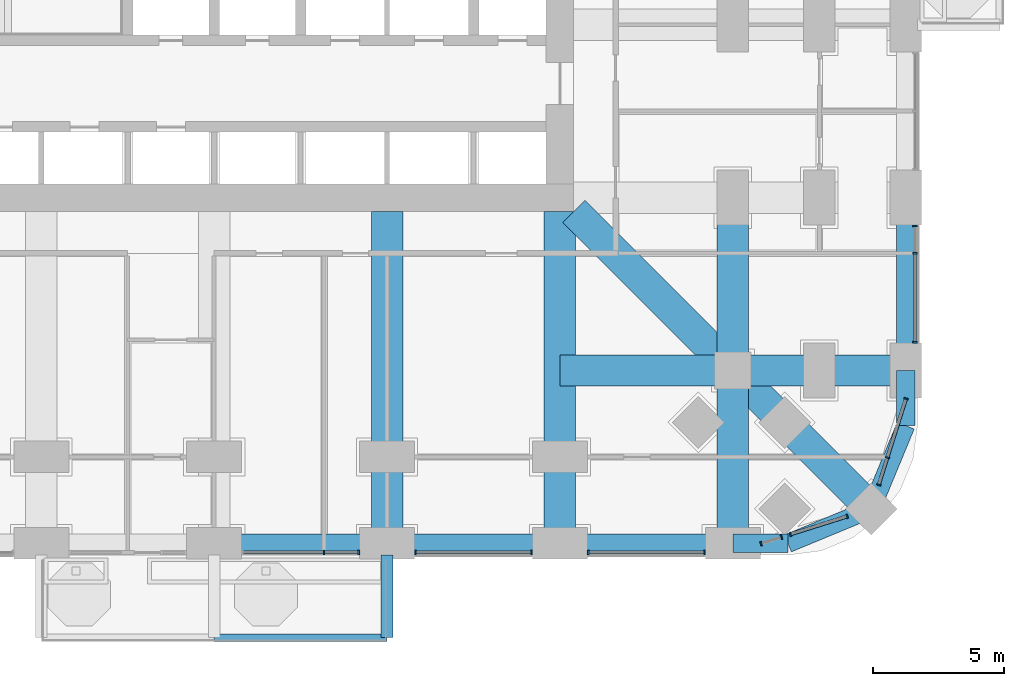
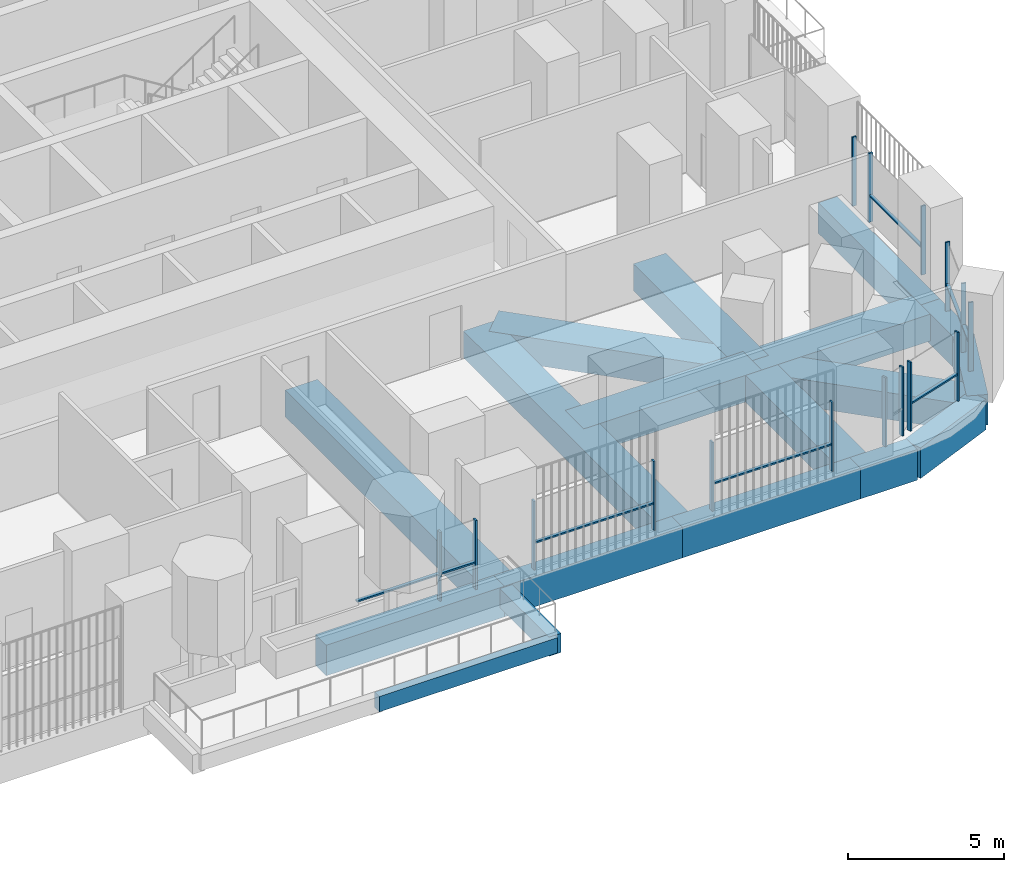
# One storey, part 4 of 26: 24 members, 18 beams, 7 elements without a shape of their own.
"""IFC4 building model written with IfcOpenShell, lengths in metres."""

import ifcopenshell
import ifcopenshell.guid

model = None  # the IFC model being written
_history = None  # IfcOwnerHistory: only IFC2X3 demands one
_inside = {}  # id of a spatial element -> (the spatial element, [elements in it])
_under = {}  # id of a project, library or spatial element -> (it, [spatial elements below it])
_declared = {}  # id of a project -> (the project, [libraries it declares])
_typed = {}  # id of a type object -> (the type object, [elements of that type])
_made_of = {}  # id of a material, layer set ... -> (it, [elements and type objects made of it])


def new_model(schema):
    """Start an empty IFC model of exactly this schema.

    Asked for "IFC4X3", IfcOpenShell would pick the latest addendum, in which some entities
    have other attributes; the version numbers below select the first issue.
    IFC2X3 requires an IfcOwnerHistory on every rooted entity: one is made here for all.
    """
    global model, _history
    if schema == "IFC4X3":
        model = ifcopenshell.file(schema_version=(4, 3, 0, 0))
    else:
        model = ifcopenshell.file(schema=schema)
    _inside.clear()
    _under.clear()
    _declared.clear()
    _typed.clear()
    _made_of.clear()
    _history = None
    if model.schema == "IFC2X3":
        org = make("IfcOrganization", Name="unknown")
        user = make(
            "IfcPersonAndOrganization",
            ThePerson=make("IfcPerson", FamilyName="unknown"),
            TheOrganization=org,
        )
        app = make(
            "IfcApplication",
            ApplicationDeveloper=org,
            Version="unknown",
            ApplicationFullName="unknown",
            ApplicationIdentifier="unknown",
        )
        _history = make(
            "IfcOwnerHistory",
            OwningUser=user,
            OwningApplication=app,
            ChangeAction="ADDED",
            CreationDate=0,
        )
    return model


def make(cls, **values):
    """One entity of the class cls with the attributes given. An attribute that is None is left unset."""
    return model.create_entity(
        cls, **{name: value for name, value in values.items() if value is not None}
    )


def rooted(cls, **values):
    """An entity with a GlobalId (a new one), such as an element, a storey or a relation."""
    return make(cls, GlobalId=ifcopenshell.guid.new(), OwnerHistory=_history, **values)


def si_unit(unit_type, name, prefix=None):
    """IfcSIUnit, for example si_unit("LENGTHUNIT", "METRE", prefix="MILLI")."""
    return make("IfcSIUnit", UnitType=unit_type, Prefix=prefix, Name=name)


def assignment(units):
    """IfcUnitAssignment: the units of a project."""
    return None if units is None else make("IfcUnitAssignment", Units=units)


def point(xyz):
    """IfcCartesianPoint."""
    return None if xyz is None else make("IfcCartesianPoint", Coordinates=xyz)


def direction(xyz):
    """IfcDirection."""
    return None if xyz is None else make("IfcDirection", DirectionRatios=xyz)


def frame(location, z_axis=None, x_axis=None):
    """IfcAxis2Placement3D, a coordinate frame: its origin and axes. An axis left out is left unset."""
    return make(
        "IfcAxis2Placement3D",
        Location=point(location),
        Axis=direction(z_axis),
        RefDirection=direction(x_axis),
    )


def frame_2d(location, x_axis=None):
    """IfcAxis2Placement2D, a coordinate frame in the plane: its origin and x axis."""
    return make(
        "IfcAxis2Placement2D", Location=point(location), RefDirection=direction(x_axis)
    )


def origin():
    """The frame at (0, 0, 0) with its axes left unset."""
    return frame((0.0, 0.0, 0.0))


def origin_2d():
    """The frame at (0, 0) in the plane with its x axis left unset."""
    return frame_2d((0.0, 0.0))


def place(relative_to, where):
    """IfcLocalPlacement: puts the frame where relative to a parent placement (None: the world)."""
    return make(
        "IfcLocalPlacement", PlacementRelTo=relative_to, RelativePlacement=where
    )


def context(
    kind, dimensions, precision=None, world=None, true_north=None, identifier=None
):
    """IfcGeometricRepresentationContext, for example the 3D "Model" context."""
    return make(
        "IfcGeometricRepresentationContext",
        ContextIdentifier=identifier,
        ContextType=kind,
        CoordinateSpaceDimension=dimensions,
        Precision=precision,
        WorldCoordinateSystem=world,
        TrueNorth=true_north,
    )


def subcontext(parent, identifier, kind, view, scale=None):
    """IfcGeometricRepresentationSubContext, for example "Body" below "Model"."""
    return make(
        "IfcGeometricRepresentationSubContext",
        ContextIdentifier=identifier,
        ContextType=kind,
        ParentContext=parent,
        TargetScale=scale,
        TargetView=view,
    )


def project(units=None, contexts=None):
    """IfcProject with its units and contexts."""
    return rooted(
        "IfcProject",
        Name="project",
        RepresentationContexts=contexts,
        UnitsInContext=assignment(units),
    )


def spatial(cls, under=None, at=None, **own):
    """A site, building, storey or space (cls), placed at a placement, below another one or the project."""
    s = rooted(cls, ObjectPlacement=at, **own)
    if under is not None:
        _under.setdefault(under.id(), (under, []))[1].append(s)
    return s


def profile(cls, at=None, kind="AREA", **sizes):
    """A parametric profile (cls). Its sizes go by their IFC names, for example OverallWidth=200.0."""
    return make(cls, ProfileType=kind, Position=at, **sizes)


def rectangle(**sizes):
    """IfcRectangleProfileDef."""
    return profile("IfcRectangleProfileDef", **sizes)


def extrude(swept, where, along, depth):
    """IfcExtrudedAreaSolid: the profile swept, set in the frame where, extruded along a direction by depth."""
    return make(
        "IfcExtrudedAreaSolid",
        SweptArea=swept,
        Position=where,
        ExtrudedDirection=direction(along),
        Depth=depth,
    )


def shape(context_of_items, identifier, shape_type, items):
    """IfcShapeRepresentation: the items that make up one representation, for example the "Body"."""
    return make(
        "IfcShapeRepresentation",
        ContextOfItems=context_of_items,
        RepresentationIdentifier=identifier,
        RepresentationType=shape_type,
        Items=items,
    )


def material(Name=None, Category=None):
    """IfcMaterial."""
    return make("IfcMaterial", Name=Name, Category=Category)


def material_profile(
    of_material, cross_section, Name=None, Category=None, Priority=None
):
    """IfcMaterialProfile: a cross section and its material."""
    return make(
        "IfcMaterialProfile",
        Name=Name,
        Material=of_material,
        Profile=cross_section,
        Priority=Priority,
        Category=Category,
    )


def profile_set(profiles, Name=None, composite=None):
    """IfcMaterialProfileSet."""
    return make(
        "IfcMaterialProfileSet",
        Name=Name,
        MaterialProfiles=profiles,
        CompositeProfile=composite,
    )


def made_of(thing, what):
    """Note that an element or type object is made of a material, layer set ...; save() writes the relation."""
    if what is not None:
        _made_of.setdefault(what.id(), (what, []))[1].append(thing)
    return thing


def type_object(cls, material=None, **own):
    """A type object (cls), such as IfcWallType, which elements share."""
    return made_of(rooted(cls, **own), material)


def element(
    cls,
    number,
    at=None,
    inside=None,
    cuts=None,
    type_object=None,
    material=None,
    context=None,
    identifier="Body",
    shape_type=None,
    held_by="IfcProductDefinitionShape",
    body=None,
    shapes=None,
    **own,
):
    """One element of the class cls, such as IfcWall. Its Tag is "e" and its number.

    at: its placement. inside: the storey or other place that contains it. cuts: it is an
    opening in that element (IfcRelVoidsElement). A single representation is given by context,
    identifier, shape_type and body (its items); several are given by shapes. held_by: the class
    of the entity that holds the representations. save() writes the other relations.
    """
    e = rooted(cls, Tag="e%d" % number, ObjectPlacement=at, **own)
    if body is not None:
        shapes = [shape(context, identifier, shape_type, body)]
    if shapes is not None:
        e.Representation = make(held_by, Representations=shapes)
    if inside is not None:
        _inside.setdefault(inside.id(), (inside, []))[1].append(e)
    if cuts is not None:
        rooted(
            "IfcRelVoidsElement", RelatingBuildingElement=cuts, RelatedOpeningElement=e
        )
    if type_object is not None:
        _typed.setdefault(type_object.id(), (type_object, []))[1].append(e)
    return made_of(e, material)


def aggregate(whole, parts):
    """IfcRelAggregates: a whole, such as a stair, and the parts it consists of."""
    return rooted("IfcRelAggregates", RelatingObject=whole, RelatedObjects=parts)


def save(model, path):
    """Write the relations noted so far, then the file.

    IfcRelAggregates (storeys below a building ...), IfcRelContainedInSpatialStructure (elements
    in a storey), IfcRelDefinesByType, IfcRelAssociatesMaterial and IfcRelDeclares: one each for
    every whole, place, type object, material and project.
    """
    for whole, parts in _under.values():
        aggregate(whole, parts)
    for where, things in _inside.values():
        rooted(
            "IfcRelContainedInSpatialStructure",
            RelatedElements=things,
            RelatingStructure=where,
        )
    for kind, things in _typed.values():
        rooted("IfcRelDefinesByType", RelatedObjects=things, RelatingType=kind)
    for what, things in _made_of.values():
        rooted("IfcRelAssociatesMaterial", RelatedObjects=things, RelatingMaterial=what)
    for by, libraries in _declared.values():
        rooted("IfcRelDeclares", RelatingContext=by, RelatedDefinitions=libraries)
    model.write(path)


model = new_model("IFC4")

# Units and contexts
model_context = context("Model", 3, precision=1e-05, world=origin(), true_north=direction((0.0, 1.0)))
body_context = subcontext(model_context, "Body", "Model", "MODEL_VIEW")
ifc_project = project(units=[si_unit("LENGTHUNIT", "METRE"), si_unit("AREAUNIT", "SQUARE_METRE"), si_unit("VOLUMEUNIT", "CUBIC_METRE"), si_unit("PLANEANGLEUNIT", "RADIAN"), si_unit("MASSUNIT", "GRAM", prefix="KILO")], contexts=[model_context])

# Site, building, storey
site_placement = place(None, origin())
site = spatial("IfcSite", under=ifc_project, at=site_placement, CompositionType="ELEMENT")
building_placement = place(site_placement, origin())
building = spatial("IfcBuilding", under=site, at=building_placement, Name="Cobogo Forest Laboratory Tower", CompositionType="ELEMENT")
storey_placement = place(building_placement, frame((0.0, 0.0, 50.699951171875)))
storey = spatial("IfcBuildingStorey", under=building, at=storey_placement, Name="L11", CompositionType="ELEMENT", Elevation=50.699951171875)

# Beams
ifc_material_1 = material(Name="Concrete HA-40 (C40/50)", Category="concrete")
ifc_material_profile_1 = material_profile(ifc_material_1, rectangle(XDim=0.449951171875, YDim=0.75, at=origin_2d()), Name="RC 450x750")
ifc_profile_set_1 = profile_set([ifc_material_profile_1], Name="Concrete HA-40 (C40/50)")
beam_type_1 = type_object("IfcBeamType", Name="Balcony cantilever beam 450x750", PredefinedType="BEAM", material=ifc_profile_set_1)
beam_1_placement = place(storey_placement, frame((33.0, -0.449951171875, -0.625), z_axis=(0.0, -1.0, 0.0), x_axis=(1.0, 0.0, 0.0)))
element("IfcBeam", 1, at=beam_1_placement, inside=storey, type_object=beam_type_1, Name="CB1 BAL-S1-C3 L11", PredefinedType="BEAM", context=body_context, shape_type="SweptSolid", body=[
    extrude(rectangle(XDim=0.449951171875, YDim=0.75, at=origin_2d()), origin(), (0.0, 0.0, 1.0), 3.150146484375),
])
ifc_material_profile_2 = material_profile(ifc_material_1, rectangle(XDim=0.300048828125, YDim=0.60009765625, at=origin_2d()), Name="RC 300x600")
ifc_profile_set_2 = profile_set([ifc_material_profile_2], Name="Concrete HA-40 (C40/50)")
beam_type_2 = type_object("IfcBeamType", Name="Balcony edge beam 300x600", PredefinedType="BEAM", material=ifc_profile_set_2)
beam_2_placement = place(storey_placement, frame((26.39990234375, -3.60009765625, -0.550048828125), z_axis=(1.0, 0.0, 0.0), x_axis=(0.0, 1.0, 0.0)))
element("IfcBeam", 2, at=beam_2_placement, inside=storey, type_object=beam_type_2, Name="BB1 BAL-S1-T2 L11", PredefinedType="BEAM", context=body_context, shape_type="SweptSolid", body=[
    extrude(rectangle(XDim=0.300048828125, YDim=0.60009765625, at=origin_2d()), origin(), (0.0, 0.0, 1.0), 6.60009765625),
])
ifc_material_profile_3 = material_profile(ifc_material_1, rectangle(XDim=1.199951171875, YDim=1.050048828125, at=origin_2d()), Name="RC 1200x1050")
ifc_profile_set_3 = profile_set([ifc_material_profile_3], Name="Concrete HA-40 (C40/50)")
beam_type_3 = type_object("IfcBeamType", Name="Laboratory floor wide beam 1200x1050", PredefinedType="BEAM", material=ifc_profile_set_3)
for number, where, z_axis, x_axis, name in (
    (3, (33.0, 12.675048828125, -0.824951171875), (0.0, -1.0, 0.0), (1.0, 0.0, 0.0), "RB1 R-6-S L11"),
    (4, (39.60009765625, 12.675048828125, -0.824951171875), (0.0, -1.0, 0.0), (1.0, 0.0, 0.0), "RB1 R-7-S L11"),
):
    element("IfcBeam", number, at=place(storey_placement, frame(where, z_axis=z_axis, x_axis=x_axis)), inside=storey, type_object=beam_type_3, Name=name, PredefinedType="BEAM", context=body_context, shape_type="SweptSolid", body=[
        extrude(rectangle(XDim=1.199951171875, YDim=1.050048828125, at=origin_2d()), origin(), (0.0, 0.0, 1.0), 12.675048828125),
    ])
beam_3_placement = place(storey_placement, frame((46.199951171875, 0.0, -0.824951171875), z_axis=(0.0, 1.0, 0.0), x_axis=(-1.0, 0.0, 0.0)))
element("IfcBeam", 5, at=beam_3_placement, inside=storey, type_object=beam_type_3, Name="RB1 G-SE-XF L11", PredefinedType="BEAM", context=body_context, shape_type="SweptSolid", body=[
    extrude(rectangle(XDim=1.199951171875, YDim=1.050048828125, at=origin_2d()), origin(), (0.0, 0.0, 1.0), 6.60009765625),
])
beam_4_placement = place(storey_placement, frame((46.199951171875, 6.60009765625, -0.824951171875), z_axis=(0.0, 1.0, 0.0), x_axis=(-1.0, 0.0, 0.0)))
element("IfcBeam", 6, at=beam_4_placement, inside=storey, type_object=beam_type_3, Name="RB1 G-SE-XC L11", PredefinedType="BEAM", context=body_context, shape_type="SweptSolid", body=[
    extrude(rectangle(XDim=1.199951171875, YDim=1.050048828125, at=origin_2d()), origin(), (0.0, 0.0, 1.0), 6.599853515625),
])
beam_5_placement = place(storey_placement, frame((52.800048828125, 6.60009765625, -0.824951171875), z_axis=(-1.0, 0.0, 0.0), x_axis=(0.0, -1.0, 0.0)))
element("IfcBeam", 7, at=beam_5_placement, inside=storey, type_object=beam_type_3, Name="RB1 G-SE-YF L11", PredefinedType="BEAM", context=body_context, shape_type="SweptSolid", body=[
    extrude(rectangle(XDim=1.199951171875, YDim=1.050048828125, at=origin_2d()), origin(), (0.0, 0.0, 1.0), 6.60009765625),
])
beam_6_placement = place(storey_placement, frame((46.199951171875, 6.60009765625, -0.824951171875), z_axis=(-1.0, 0.0, 0.0), x_axis=(0.0, -1.0, 0.0)))
element("IfcBeam", 8, at=beam_6_placement, inside=storey, type_object=beam_type_3, Name="RB1 G-SE-YC L11", PredefinedType="BEAM", context=body_context, shape_type="SweptSolid", body=[
    extrude(rectangle(XDim=1.199951171875, YDim=1.050048828125, at=origin_2d()), origin(), (0.0, 0.0, 1.0), 6.599853515625),
])
beam_7_placement = place(storey_placement, frame((51.48193359375, 1.318115234375, -0.824951171875), z_axis=(-0.707106781187, 0.707106781187, 0.0), x_axis=(-0.707106781187, -0.707106781187, 0.0)))
element("IfcBeam", 9, at=beam_7_placement, inside=storey, type_object=beam_type_3, Name="RB1 G-SE-D1 L11", PredefinedType="BEAM", context=body_context, shape_type="SweptSolid", body=[
    extrude(rectangle(XDim=1.199951171875, YDim=1.050048828125, at=origin_2d()), origin(), (0.0, 0.0, 1.0), 7.469970703125),
])
beam_8_placement = place(storey_placement, frame((46.199951171875, 6.60009765625, -0.824951171875), z_axis=(-0.707106781187, 0.707106781187, 0.0), x_axis=(-0.707106781187, -0.707106781187, 0.0)))
element("IfcBeam", 10, at=beam_8_placement, inside=storey, type_object=beam_type_3, Name="RB1 G-SE-D2 L11", PredefinedType="BEAM", context=body_context, shape_type="SweptSolid", body=[
    extrude(rectangle(XDim=1.199951171875, YDim=1.050048828125, at=origin_2d()), origin(), (0.0, 0.0, 1.0), 8.59130859375),
])

# Curtain wall, members
ifc_material_2 = material(Name="Aluminium curtain wall", Category="aluminium")
curtain_wall_type = type_object("IfcCurtainWallType", Name="CW-1 unitised curtain wall, clear glazing, laboratory floors zones A and B", PredefinedType="USERDEFINED", material=ifc_material_2)
curtain_wall_1_placement = place(storey_placement, origin())
curtain_wall_1 = element("IfcCurtainWall", 11, at=curtain_wall_1_placement, inside=storey, type_object=curtain_wall_type, Name="Curtain wall 04 L11", ObjectType="UNITISED CURTAIN WALL", PredefinedType="USERDEFINED")
ifc_material_3 = material(Name="Aluminium mullion", Category="aluminium")
ifc_material_profile_4 = material_profile(ifc_material_3, rectangle(XDim=0.06005859375, YDim=0.159912109375, at=origin_2d()), Name="AL 60x160")
ifc_profile_set_4 = profile_set([ifc_material_profile_4], Name="Aluminium mullion")
member_type_1 = type_object("IfcMemberType", Name="MU-1 aluminium mullion 60x160", PredefinedType="MULLION", material=ifc_profile_set_4)
member_1_placement = place(storey_placement, frame((30.60009765625, -0.35009765625, 0.0), z_axis=(0.0, 0.0, 1.0), x_axis=(1.0, 0.0, 0.0)))
member_1 = element("IfcMember", 12, at=member_1_placement, type_object=member_type_1, Name="CW-1 mullion 2", PredefinedType="MULLION", context=body_context, shape_type="SweptSolid", body=[
    extrude(rectangle(XDim=0.06005859375, YDim=0.159912109375, at=origin_2d()), origin(), (0.0, 0.0, 1.0), 2.699951171875),
])
member_2_placement = place(storey_placement, frame((31.919921875, -0.35009765625, 0.0), z_axis=(0.0, 0.0, 1.0), x_axis=(1.0, 0.0, 0.0)))
member_2 = element("IfcMember", 13, at=member_2_placement, type_object=member_type_1, Name="CW-1 mullion 3", PredefinedType="MULLION", context=body_context, shape_type="SweptSolid", body=[
    extrude(rectangle(XDim=0.06005859375, YDim=0.159912109375, at=origin_2d()), origin(), (0.0, 0.0, 1.0), 2.699951171875),
])

curtain_wall_2_placement = place(storey_placement, origin())
curtain_wall_2 = element("IfcCurtainWall", 14, at=curtain_wall_2_placement, inside=storey, type_object=curtain_wall_type, Name="Curtain wall 05 L11", ObjectType="UNITISED CURTAIN WALL", PredefinedType="USERDEFINED")
member_3_placement = place(storey_placement, frame((34.080078125, -0.35009765625, 0.0), z_axis=(0.0, 0.0, 1.0), x_axis=(1.0, 0.0, 0.0)))
member_3 = element("IfcMember", 15, at=member_3_placement, type_object=member_type_1, Name="CW-1 mullion 1", PredefinedType="MULLION", context=body_context, shape_type="SweptSolid", body=[
    extrude(rectangle(XDim=0.06005859375, YDim=0.159912109375, at=origin_2d()), origin(), (0.0, 0.0, 1.0), 2.699951171875),
])
member_4_placement = place(storey_placement, frame((38.52001953125, -0.35009765625, 0.0), z_axis=(0.0, 0.0, 1.0), x_axis=(1.0, 0.0, 0.0)))
member_4 = element("IfcMember", 16, at=member_4_placement, type_object=member_type_1, Name="CW-1 mullion 2", PredefinedType="MULLION", context=body_context, shape_type="SweptSolid", body=[
    extrude(rectangle(XDim=0.06005859375, YDim=0.159912109375, at=origin_2d()), origin(), (0.0, 0.0, 1.0), 2.699951171875),
])

curtain_wall_3_placement = place(storey_placement, origin())
curtain_wall_3 = element("IfcCurtainWall", 17, at=curtain_wall_3_placement, inside=storey, type_object=curtain_wall_type, Name="Curtain wall 06 L11", ObjectType="UNITISED CURTAIN WALL", PredefinedType="USERDEFINED")
member_5_placement = place(storey_placement, frame((40.679931640625, -0.35009765625, 0.0), z_axis=(0.0, 0.0, 1.0), x_axis=(1.0, 0.0, 0.0)))
member_5 = element("IfcMember", 18, at=member_5_placement, type_object=member_type_1, Name="CW-1 mullion 1", PredefinedType="MULLION", context=body_context, shape_type="SweptSolid", body=[
    extrude(rectangle(XDim=0.06005859375, YDim=0.159912109375, at=origin_2d()), origin(), (0.0, 0.0, 1.0), 2.699951171875),
])
member_6_placement = place(storey_placement, frame((45.1201171875, -0.35009765625, 0.0), z_axis=(0.0, 0.0, 1.0), x_axis=(1.0, 0.0, 0.0)))
member_6 = element("IfcMember", 19, at=member_6_placement, type_object=member_type_1, Name="CW-1 mullion 2", PredefinedType="MULLION", context=body_context, shape_type="SweptSolid", body=[
    extrude(rectangle(XDim=0.06005859375, YDim=0.159912109375, at=origin_2d()), origin(), (0.0, 0.0, 1.0), 2.699951171875),
])

curtain_wall_4_placement = place(storey_placement, origin())
curtain_wall_4 = element("IfcCurtainWall", 20, at=curtain_wall_4_placement, inside=storey, type_object=curtain_wall_type, Name="Curtain wall 07 L11", ObjectType="UNITISED CURTAIN WALL", PredefinedType="USERDEFINED")
member_7_placement = place(storey_placement, frame((47.278564453125, -0.00927734375, 0.0), z_axis=(0.0, 0.0, 1.0), x_axis=(0.953581504428, 0.301135043481, 0.0)))
member_7 = element("IfcMember", 21, at=member_7_placement, type_object=member_type_1, Name="CW-1 mullion 1", PredefinedType="MULLION", context=body_context, shape_type="SweptSolid", body=[
    extrude(rectangle(XDim=0.06005859375, YDim=0.159912109375, at=origin_2d()), origin(), (0.0, 0.0, 1.0), 2.699951171875),
])
member_8_placement = place(storey_placement, frame((48.05322265625, 0.2353515625, 0.0), z_axis=(0.0, 0.0, 1.0), x_axis=(0.953581504428, 0.301135043481, 0.0)))
member_8 = element("IfcMember", 22, at=member_8_placement, type_object=member_type_1, Name="CW-1 mullion 2", PredefinedType="MULLION", context=body_context, shape_type="SweptSolid", body=[
    extrude(rectangle(XDim=0.06005859375, YDim=0.159912109375, at=origin_2d()), origin(), (0.0, 0.0, 1.0), 2.699951171875),
])
aggregate(curtain_wall_4, [member_7, member_8])

curtain_wall_5_placement = place(storey_placement, origin())
curtain_wall_5 = element("IfcCurtainWall", 23, at=curtain_wall_5_placement, inside=storey, type_object=curtain_wall_type, Name="Curtain wall 08 L11", ObjectType="UNITISED CURTAIN WALL", PredefinedType="USERDEFINED")
member_9_placement = place(storey_placement, frame((48.403076171875, 0.345703125, 0.0), z_axis=(0.0, 0.0, 1.0), x_axis=(0.953581409645, 0.301135343623, 0.0)))
member_9 = element("IfcMember", 24, at=member_9_placement, type_object=member_type_1, Name="CW-1 mullion 1", PredefinedType="MULLION", context=body_context, shape_type="SweptSolid", body=[
    extrude(rectangle(XDim=0.06005859375, YDim=0.159912109375, at=origin_2d()), origin(), (0.0, 0.0, 1.0), 2.699951171875),
])
member_10_placement = place(storey_placement, frame((50.561279296875, 1.02734375, 0.0), z_axis=(0.0, 0.0, 1.0), x_axis=(0.953581409645, 0.301135343623, 0.0)))
member_10 = element("IfcMember", 25, at=member_10_placement, type_object=member_type_1, Name="CW-1 mullion 2", PredefinedType="MULLION", context=body_context, shape_type="SweptSolid", body=[
    extrude(rectangle(XDim=0.06005859375, YDim=0.159912109375, at=origin_2d()), origin(), (0.0, 0.0, 1.0), 2.699951171875),
])

curtain_wall_6_placement = place(storey_placement, origin())
curtain_wall_6 = element("IfcCurtainWall", 26, at=curtain_wall_6_placement, inside=storey, type_object=curtain_wall_type, Name="Curtain wall 09 L11", ObjectType="UNITISED CURTAIN WALL", PredefinedType="USERDEFINED")
member_11_placement = place(storey_placement, frame((51.772705078125, 2.23876953125, 0.0), z_axis=(0.0, 0.0, 1.0), x_axis=(0.30113535792, 0.95358140513, 0.0)))
member_11 = element("IfcMember", 27, at=member_11_placement, type_object=member_type_1, Name="CW-1 mullion 1", PredefinedType="MULLION", context=body_context, shape_type="SweptSolid", body=[
    extrude(rectangle(XDim=0.06005859375, YDim=0.159912109375, at=origin_2d()), origin(), (0.0, 0.0, 1.0), 2.699951171875),
])
member_12_placement = place(storey_placement, frame((52.100341796875, 3.27587890625, 0.0), z_axis=(0.0, 0.0, 1.0), x_axis=(0.30113535792, 0.95358140513, 0.0)))
member_12 = element("IfcMember", 28, at=member_12_placement, type_object=member_type_1, Name="CW-1 mullion 2", PredefinedType="MULLION", context=body_context, shape_type="SweptSolid", body=[
    extrude(rectangle(XDim=0.06005859375, YDim=0.159912109375, at=origin_2d()), origin(), (0.0, 0.0, 1.0), 2.699951171875),
])
member_13_placement = place(storey_placement, frame((52.809326171875, 5.521484375, 0.0), z_axis=(0.0, 0.0, 1.0), x_axis=(0.30113535792, 0.95358140513, 0.0)))
member_13 = element("IfcMember", 29, at=member_13_placement, type_object=member_type_1, Name="CW-1 mullion 3", PredefinedType="MULLION", context=body_context, shape_type="SweptSolid", body=[
    extrude(rectangle(XDim=0.06005859375, YDim=0.159912109375, at=origin_2d()), origin(), (0.0, 0.0, 1.0), 2.699951171875),
])

curtain_wall_7_placement = place(storey_placement, origin())
curtain_wall_7 = element("IfcCurtainWall", 30, at=curtain_wall_7_placement, inside=storey, type_object=curtain_wall_type, Name="Curtain wall 10 L11", ObjectType="UNITISED CURTAIN WALL", PredefinedType="USERDEFINED")
member_14_placement = place(storey_placement, frame((53.14990234375, 7.679931640625, 0.0), z_axis=(0.0, 0.0, 1.0), x_axis=(0.0, 1.0, 0.0)))
member_14 = element("IfcMember", 31, at=member_14_placement, type_object=member_type_1, Name="CW-1 mullion 1", PredefinedType="MULLION", context=body_context, shape_type="SweptSolid", body=[
    extrude(rectangle(XDim=0.06005859375, YDim=0.159912109375, at=origin_2d()), origin(), (0.0, 0.0, 1.0), 2.699951171875),
])
member_15_placement = place(storey_placement, frame((53.14990234375, 11.074951171875, 0.0), z_axis=(0.0, 0.0, 1.0), x_axis=(0.0, 1.0, 0.0)))
member_15 = element("IfcMember", 32, at=member_15_placement, type_object=member_type_1, Name="CW-1 mullion 2", PredefinedType="MULLION", context=body_context, shape_type="SweptSolid", body=[
    extrude(rectangle(XDim=0.06005859375, YDim=0.159912109375, at=origin_2d()), origin(), (0.0, 0.0, 1.0), 2.699951171875),
])
member_16_placement = place(storey_placement, frame((53.14990234375, 12.1201171875, 0.0), z_axis=(0.0, 0.0, 1.0), x_axis=(0.0, 1.0, 0.0)))
member_16 = element("IfcMember", 33, at=member_16_placement, type_object=member_type_1, Name="CW-1 mullion 3", PredefinedType="MULLION", context=body_context, shape_type="SweptSolid", body=[
    extrude(rectangle(XDim=0.06005859375, YDim=0.159912109375, at=origin_2d()), origin(), (0.0, 0.0, 1.0), 2.699951171875),
])

# Beams
ifc_material_profile_5 = material_profile(ifc_material_1, rectangle(XDim=0.699951171875, YDim=1.199951171875, at=origin_2d()), Name="RC 700x1200")
ifc_profile_set_5 = profile_set([ifc_material_profile_5], Name="Concrete HA-40 (C40/50)")
beam_type_4 = type_object("IfcBeamType", Name="Perimeter edge beam 700x1200", PredefinedType="BEAM", material=ifc_profile_set_5)
for number, where, z_axis, x_axis, name in (
    (34, (26.39990234375, 0.0, -0.89990234375), (1.0, 0.0, 0.0), (0.0, 1.0, 0.0), "EB1 E-S4 L11"),
    (35, (33.0, 0.0, -0.89990234375), (1.0, 0.0, 0.0), (0.0, 1.0, 0.0), "EB1 E-S5 L11"),
):
    element("IfcBeam", number, at=place(storey_placement, frame(where, z_axis=z_axis, x_axis=x_axis)), inside=storey, type_object=beam_type_4, Name=name, PredefinedType="BEAM", context=body_context, shape_type="SweptSolid", body=[
        extrude(rectangle(XDim=0.699951171875, YDim=1.199951171875, at=origin_2d()), origin(), (0.0, 0.0, 1.0), 6.60009765625),
    ])
for number, where, z_axis, x_axis, name in (
    (36, (39.60009765625, 0.0, -0.89990234375), (1.0, 0.0, 0.0), (0.0, 1.0, 0.0), "EB1 E-S6 L11"),
    (37, (52.800048828125, 6.60009765625, -0.89990234375), (0.0, 1.0, 0.0), (-1.0, 0.0, 0.0), "EB1 E-E1 L11"),
):
    element("IfcBeam", number, at=place(storey_placement, frame(where, z_axis=z_axis, x_axis=x_axis)), inside=storey, type_object=beam_type_4, Name=name, PredefinedType="BEAM", context=body_context, shape_type="SweptSolid", body=[
        extrude(rectangle(XDim=0.699951171875, YDim=1.199951171875, at=origin_2d()), origin(), (0.0, 0.0, 1.0), 6.599853515625),
    ])
beam_9_placement = place(storey_placement, frame((46.199951171875, 0.0, -0.89990234375), z_axis=(1.0, 0.0, 0.0), x_axis=(0.0, 1.0, 0.0)))
element("IfcBeam", 38, at=beam_9_placement, inside=storey, type_object=beam_type_4, Name="EB1 E-SES1 L11", PredefinedType="BEAM", context=body_context, shape_type="SweptSolid", body=[
    extrude(rectangle(XDim=0.699951171875, YDim=1.199951171875, at=origin_2d()), origin(), (0.0, 0.0, 1.0), 2.10009765625),
])
beam_10_placement = place(storey_placement, frame((48.300048828125, 0.0, -0.89990234375), z_axis=(0.923865631356, 0.382716990999, 0.0), x_axis=(-0.382716990999, 0.923865631356, 0.0)))
element("IfcBeam", 39, at=beam_10_placement, inside=storey, type_object=beam_type_4, Name="EB1 E-SES2 L11", PredefinedType="BEAM", context=body_context, shape_type="SweptSolid", body=[
    extrude(rectangle(XDim=0.699951171875, YDim=1.199951171875, at=origin_2d()), origin(), (0.0, 0.0, 1.0), 3.444091796875),
])
beam_11_placement = place(storey_placement, frame((52.800048828125, 6.60009765625, -0.89990234375), z_axis=(0.0, -1.0, 0.0), x_axis=(1.0, 0.0, 0.0)))
element("IfcBeam", 40, at=beam_11_placement, inside=storey, type_object=beam_type_4, Name="EB1 E-SEE1 L11", PredefinedType="BEAM", context=body_context, shape_type="SweptSolid", body=[
    extrude(rectangle(XDim=0.699951171875, YDim=1.199951171875, at=origin_2d()), origin(), (0.0, 0.0, 1.0), 2.10009765625),
])
beam_12_placement = place(storey_placement, frame((52.800048828125, 4.5, -0.89990234375), z_axis=(-0.382716990999, -0.923865631356, 0.0), x_axis=(0.923865631356, -0.382716990999, 0.0)))
element("IfcBeam", 41, at=beam_12_placement, inside=storey, type_object=beam_type_4, Name="EB1 E-SEE2 L11", PredefinedType="BEAM", context=body_context, shape_type="SweptSolid", body=[
    extrude(rectangle(XDim=0.699951171875, YDim=1.199951171875, at=origin_2d()), origin(), (0.0, 0.0, 1.0), 3.444091796875),
])

# Member
ifc_material_4 = material(Name="Aluminium transom", Category="aluminium")
ifc_material_profile_6 = material_profile(ifc_material_4, rectangle(XDim=0.1201171875, YDim=0.06005859375, at=origin_2d()), Name="AL 60x120")
ifc_profile_set_6 = profile_set([ifc_material_profile_6], Name="Aluminium transom")
member_type_2 = type_object("IfcMemberType", Name="TR-1 aluminium transom 60x120", PredefinedType="USERDEFINED", material=ifc_profile_set_6)
member_17_placement = place(storey_placement, frame((27.510009765625, -0.35009765625, 1.050048828125), z_axis=(1.0, 0.0, 0.0), x_axis=(0.0, 1.0, 0.0)))
member_17 = element("IfcMember", 42, at=member_17_placement, type_object=member_type_2, Name="CW-1 transom 1.1", ObjectType="TRANSOM", PredefinedType="USERDEFINED", context=body_context, shape_type="SweptSolid", body=[
    extrude(rectangle(XDim=0.1201171875, YDim=0.06005859375, at=origin_2d()), origin(), (0.0, 0.0, 1.0), 3.06005859375),
])

member_18_placement = place(storey_placement, frame((30.6298828125, -0.35009765625, 1.050048828125), z_axis=(1.0, 0.0, 0.0), x_axis=(0.0, 1.0, 0.0)))
member_18 = element("IfcMember", 43, at=member_18_placement, type_object=member_type_2, Name="CW-1 transom 2.1", ObjectType="TRANSOM", PredefinedType="USERDEFINED", context=body_context, shape_type="SweptSolid", body=[
    extrude(rectangle(XDim=0.1201171875, YDim=0.06005859375, at=origin_2d()), origin(), (0.0, 0.0, 1.0), 1.260009765625),
])

aggregate(curtain_wall_1, [member_1, member_2, member_17, member_18])

member_19_placement = place(storey_placement, frame((34.110107421875, -0.35009765625, 1.050048828125), z_axis=(1.0, 0.0, 0.0), x_axis=(0.0, 1.0, 0.0)))
member_19 = element("IfcMember", 44, at=member_19_placement, type_object=member_type_2, Name="CW-1 transom 1.1", ObjectType="TRANSOM", PredefinedType="USERDEFINED", context=body_context, shape_type="SweptSolid", body=[
    extrude(rectangle(XDim=0.1201171875, YDim=0.06005859375, at=origin_2d()), origin(), (0.0, 0.0, 1.0), 4.3798828125),
])

aggregate(curtain_wall_2, [member_3, member_4, member_19])

member_20_placement = place(storey_placement, frame((40.7099609375, -0.35009765625, 1.050048828125), z_axis=(1.0, 0.0, 0.0), x_axis=(0.0, 1.0, 0.0)))
member_20 = element("IfcMember", 45, at=member_20_placement, type_object=member_type_2, Name="CW-1 transom 1.1", ObjectType="TRANSOM", PredefinedType="USERDEFINED", context=body_context, shape_type="SweptSolid", body=[
    extrude(rectangle(XDim=0.1201171875, YDim=0.06005859375, at=origin_2d()), origin(), (0.0, 0.0, 1.0), 4.380126953125),
])

aggregate(curtain_wall_3, [member_5, member_6, member_20])

member_21_placement = place(storey_placement, frame((48.431640625, 0.354736328125, 1.050048828125), z_axis=(0.953572616955, 0.301163185322, 0.0), x_axis=(-0.301163185322, 0.953572616955, 0.0)))
member_21 = element("IfcMember", 46, at=member_21_placement, type_object=member_type_2, Name="CW-1 transom 1.1", ObjectType="TRANSOM", PredefinedType="USERDEFINED", context=body_context, shape_type="SweptSolid", body=[
    extrude(rectangle(XDim=0.1201171875, YDim=0.06005859375, at=origin_2d()), origin(), (0.0, 0.0, 1.0), 2.203369140625),
])

aggregate(curtain_wall_5, [member_9, member_10, member_21])

member_22_placement = place(storey_placement, frame((51.78173828125, 2.267333984375, 1.050048828125), z_axis=(0.301222320394, 0.953553938535, 0.0), x_axis=(-0.953553938535, 0.301222320394, 0.0)))
member_22 = element("IfcMember", 47, at=member_22_placement, type_object=member_type_2, Name="CW-1 transom 1.1", ObjectType="TRANSOM", PredefinedType="USERDEFINED", context=body_context, shape_type="SweptSolid", body=[
    extrude(rectangle(XDim=0.1201171875, YDim=0.06005859375, at=origin_2d()), origin(), (0.0, 0.0, 1.0), 1.02783203125),
])

member_23_placement = place(storey_placement, frame((52.109375, 3.304443359375, 1.050048828125), z_axis=(0.301090633022, 0.953595527835, 0.0), x_axis=(-0.953595527835, 0.301090633022, 0.0)))
member_23 = element("IfcMember", 48, at=member_23_placement, type_object=member_type_2, Name="CW-1 transom 2.1", ObjectType="TRANSOM", PredefinedType="USERDEFINED", context=body_context, shape_type="SweptSolid", body=[
    extrude(rectangle(XDim=0.1201171875, YDim=0.06005859375, at=origin_2d()), origin(), (0.0, 0.0, 1.0), 2.294677734375),
])

aggregate(curtain_wall_6, [member_11, member_12, member_13, member_22, member_23])

member_24_placement = place(storey_placement, frame((53.14990234375, 7.7099609375, 1.050048828125), z_axis=(0.0, 1.0, 0.0), x_axis=(-1.0, 0.0, 0.0)))
member_24 = element("IfcMember", 49, at=member_24_placement, type_object=member_type_2, Name="CW-1 transom 1.1", ObjectType="TRANSOM", PredefinedType="USERDEFINED", context=body_context, shape_type="SweptSolid", body=[
    extrude(rectangle(XDim=0.1201171875, YDim=0.06005859375, at=origin_2d()), origin(), (0.0, 0.0, 1.0), 3.3349609375),
])

aggregate(curtain_wall_7, [member_14, member_15, member_16, member_24])

save(model, "model.ifc")
